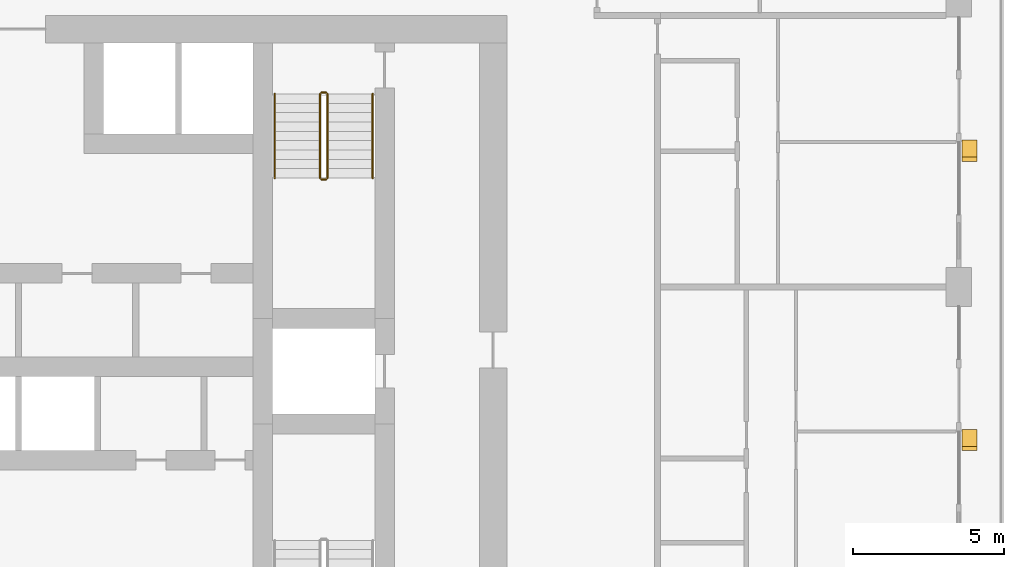
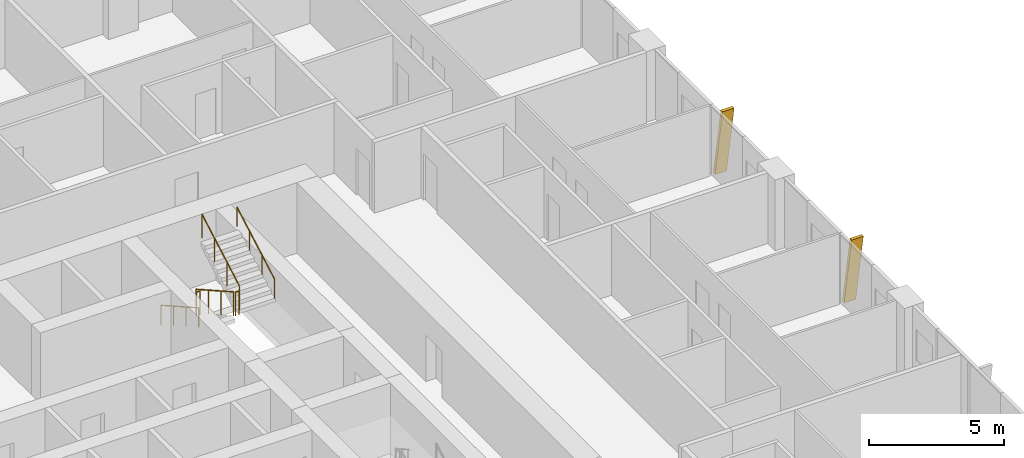
# One storey, part 20 of 21: 6 railings, 2 shading devices.
"""IFC4 building model written with IfcOpenShell, lengths in metres."""

import ifcopenshell
import ifcopenshell.guid

model = None  # the IFC model being written
_history = None  # IfcOwnerHistory: only IFC2X3 demands one
_inside = {}  # id of a spatial element -> (the spatial element, [elements in it])
_under = {}  # id of a project, library or spatial element -> (it, [spatial elements below it])
_declared = {}  # id of a project -> (the project, [libraries it declares])
_typed = {}  # id of a type object -> (the type object, [elements of that type])
_made_of = {}  # id of a material, layer set ... -> (it, [elements and type objects made of it])


def new_model(schema):
    """Start an empty IFC model of exactly this schema.

    Asked for "IFC4X3", IfcOpenShell would pick the latest addendum, in which some entities
    have other attributes; the version numbers below select the first issue.
    IFC2X3 requires an IfcOwnerHistory on every rooted entity: one is made here for all.
    """
    global model, _history
    if schema == "IFC4X3":
        model = ifcopenshell.file(schema_version=(4, 3, 0, 0))
    else:
        model = ifcopenshell.file(schema=schema)
    _inside.clear()
    _under.clear()
    _declared.clear()
    _typed.clear()
    _made_of.clear()
    _history = None
    if model.schema == "IFC2X3":
        org = make("IfcOrganization", Name="unknown")
        user = make(
            "IfcPersonAndOrganization",
            ThePerson=make("IfcPerson", FamilyName="unknown"),
            TheOrganization=org,
        )
        app = make(
            "IfcApplication",
            ApplicationDeveloper=org,
            Version="unknown",
            ApplicationFullName="unknown",
            ApplicationIdentifier="unknown",
        )
        _history = make(
            "IfcOwnerHistory",
            OwningUser=user,
            OwningApplication=app,
            ChangeAction="ADDED",
            CreationDate=0,
        )
    return model


def make(cls, **values):
    """One entity of the class cls with the attributes given. An attribute that is None is left unset."""
    return model.create_entity(
        cls, **{name: value for name, value in values.items() if value is not None}
    )


def rooted(cls, **values):
    """An entity with a GlobalId (a new one), such as an element, a storey or a relation."""
    return make(cls, GlobalId=ifcopenshell.guid.new(), OwnerHistory=_history, **values)


def si_unit(unit_type, name, prefix=None):
    """IfcSIUnit, for example si_unit("LENGTHUNIT", "METRE", prefix="MILLI")."""
    return make("IfcSIUnit", UnitType=unit_type, Prefix=prefix, Name=name)


def assignment(units):
    """IfcUnitAssignment: the units of a project."""
    return None if units is None else make("IfcUnitAssignment", Units=units)


def point(xyz):
    """IfcCartesianPoint."""
    return None if xyz is None else make("IfcCartesianPoint", Coordinates=xyz)


def direction(xyz):
    """IfcDirection."""
    return None if xyz is None else make("IfcDirection", DirectionRatios=xyz)


def frame(location, z_axis=None, x_axis=None):
    """IfcAxis2Placement3D, a coordinate frame: its origin and axes. An axis left out is left unset."""
    return make(
        "IfcAxis2Placement3D",
        Location=point(location),
        Axis=direction(z_axis),
        RefDirection=direction(x_axis),
    )


def frame_2d(location, x_axis=None):
    """IfcAxis2Placement2D, a coordinate frame in the plane: its origin and x axis."""
    return make(
        "IfcAxis2Placement2D", Location=point(location), RefDirection=direction(x_axis)
    )


def origin():
    """The frame at (0, 0, 0) with its axes left unset."""
    return frame((0.0, 0.0, 0.0))


def origin_2d():
    """The frame at (0, 0) in the plane with its x axis left unset."""
    return frame_2d((0.0, 0.0))


def place(relative_to, where):
    """IfcLocalPlacement: puts the frame where relative to a parent placement (None: the world)."""
    return make(
        "IfcLocalPlacement", PlacementRelTo=relative_to, RelativePlacement=where
    )


def context(
    kind, dimensions, precision=None, world=None, true_north=None, identifier=None
):
    """IfcGeometricRepresentationContext, for example the 3D "Model" context."""
    return make(
        "IfcGeometricRepresentationContext",
        ContextIdentifier=identifier,
        ContextType=kind,
        CoordinateSpaceDimension=dimensions,
        Precision=precision,
        WorldCoordinateSystem=world,
        TrueNorth=true_north,
    )


def subcontext(parent, identifier, kind, view, scale=None):
    """IfcGeometricRepresentationSubContext, for example "Body" below "Model"."""
    return make(
        "IfcGeometricRepresentationSubContext",
        ContextIdentifier=identifier,
        ContextType=kind,
        ParentContext=parent,
        TargetScale=scale,
        TargetView=view,
    )


def project(units=None, contexts=None):
    """IfcProject with its units and contexts."""
    return rooted(
        "IfcProject",
        Name="project",
        RepresentationContexts=contexts,
        UnitsInContext=assignment(units),
    )


def spatial(cls, under=None, at=None, **own):
    """A site, building, storey or space (cls), placed at a placement, below another one or the project."""
    s = rooted(cls, ObjectPlacement=at, **own)
    if under is not None:
        _under.setdefault(under.id(), (under, []))[1].append(s)
    return s


def polyline(points):
    """IfcPolyline through the points."""
    return make("IfcPolyline", Points=[point(p) for p in points])


def profile(cls, at=None, kind="AREA", **sizes):
    """A parametric profile (cls). Its sizes go by their IFC names, for example OverallWidth=200.0."""
    return make(cls, ProfileType=kind, Position=at, **sizes)


def circle(**sizes):
    """IfcCircleProfileDef."""
    return profile("IfcCircleProfileDef", **sizes)


def outline(outer, holes=None, kind="AREA"):
    """IfcArbitraryClosedProfileDef: a profile drawn as a closed curve; with holes, ...WithVoids."""
    if holes is None:
        return make("IfcArbitraryClosedProfileDef", ProfileType=kind, OuterCurve=outer)
    return make(
        "IfcArbitraryProfileDefWithVoids",
        ProfileType=kind,
        OuterCurve=outer,
        InnerCurves=holes,
    )


def extrude(swept, where, along, depth):
    """IfcExtrudedAreaSolid: the profile swept, set in the frame where, extruded along a direction by depth."""
    return make(
        "IfcExtrudedAreaSolid",
        SweptArea=swept,
        Position=where,
        ExtrudedDirection=direction(along),
        Depth=depth,
    )


def shape(context_of_items, identifier, shape_type, items):
    """IfcShapeRepresentation: the items that make up one representation, for example the "Body"."""
    return make(
        "IfcShapeRepresentation",
        ContextOfItems=context_of_items,
        RepresentationIdentifier=identifier,
        RepresentationType=shape_type,
        Items=items,
    )


def material(Name=None, Category=None):
    """IfcMaterial."""
    return make("IfcMaterial", Name=Name, Category=Category)


def made_of(thing, what):
    """Note that an element or type object is made of a material, layer set ...; save() writes the relation."""
    if what is not None:
        _made_of.setdefault(what.id(), (what, []))[1].append(thing)
    return thing


def type_object(cls, material=None, **own):
    """A type object (cls), such as IfcWallType, which elements share."""
    return made_of(rooted(cls, **own), material)


def element(
    cls,
    number,
    at=None,
    inside=None,
    cuts=None,
    type_object=None,
    material=None,
    context=None,
    identifier="Body",
    shape_type=None,
    held_by="IfcProductDefinitionShape",
    body=None,
    shapes=None,
    **own,
):
    """One element of the class cls, such as IfcWall. Its Tag is "e" and its number.

    at: its placement. inside: the storey or other place that contains it. cuts: it is an
    opening in that element (IfcRelVoidsElement). A single representation is given by context,
    identifier, shape_type and body (its items); several are given by shapes. held_by: the class
    of the entity that holds the representations. save() writes the other relations.
    """
    e = rooted(cls, Tag="e%d" % number, ObjectPlacement=at, **own)
    if body is not None:
        shapes = [shape(context, identifier, shape_type, body)]
    if shapes is not None:
        e.Representation = make(held_by, Representations=shapes)
    if inside is not None:
        _inside.setdefault(inside.id(), (inside, []))[1].append(e)
    if cuts is not None:
        rooted(
            "IfcRelVoidsElement", RelatingBuildingElement=cuts, RelatedOpeningElement=e
        )
    if type_object is not None:
        _typed.setdefault(type_object.id(), (type_object, []))[1].append(e)
    return made_of(e, material)


def aggregate(whole, parts):
    """IfcRelAggregates: a whole, such as a stair, and the parts it consists of."""
    return rooted("IfcRelAggregates", RelatingObject=whole, RelatedObjects=parts)


def save(model, path):
    """Write the relations noted so far, then the file.

    IfcRelAggregates (storeys below a building ...), IfcRelContainedInSpatialStructure (elements
    in a storey), IfcRelDefinesByType, IfcRelAssociatesMaterial and IfcRelDeclares: one each for
    every whole, place, type object, material and project.
    """
    for whole, parts in _under.values():
        aggregate(whole, parts)
    for where, things in _inside.values():
        rooted(
            "IfcRelContainedInSpatialStructure",
            RelatedElements=things,
            RelatingStructure=where,
        )
    for kind, things in _typed.values():
        rooted("IfcRelDefinesByType", RelatedObjects=things, RelatingType=kind)
    for what, things in _made_of.values():
        rooted("IfcRelAssociatesMaterial", RelatedObjects=things, RelatingMaterial=what)
    for by, libraries in _declared.values():
        rooted("IfcRelDeclares", RelatingContext=by, RelatedDefinitions=libraries)
    model.write(path)


model = new_model("IFC4")

# Units and contexts
model_context = context("Model", 3, precision=1e-05, world=origin(), true_north=direction((0.0, 1.0)))
body_context = subcontext(model_context, "Body", "Model", "MODEL_VIEW")
ifc_project = project(units=[si_unit("LENGTHUNIT", "METRE"), si_unit("AREAUNIT", "SQUARE_METRE"), si_unit("VOLUMEUNIT", "CUBIC_METRE"), si_unit("PLANEANGLEUNIT", "RADIAN"), si_unit("MASSUNIT", "GRAM", prefix="KILO")], contexts=[model_context])

# Site, building, storey
site_placement = place(None, origin())
site = spatial("IfcSite", under=ifc_project, at=site_placement, CompositionType="ELEMENT")
building_placement = place(site_placement, origin())
building = spatial("IfcBuilding", under=site, at=building_placement, Name="Madar Terraces", CompositionType="ELEMENT")
storey_placement = place(building_placement, frame((0.0, 0.0, 92.699951171875)))
storey = spatial("IfcBuildingStorey", under=building, at=storey_placement, Name="L23", CompositionType="ELEMENT", Elevation=92.699951171875)

# Shading devices
ifc_material_1 = material(Name="Aluminium, black anodised", Category="aluminium")
shading_device_type = type_object("IfcShadingDeviceType", Name="Facade fin blade 140 x 500", PredefinedType="USERDEFINED", material=ifc_material_1)
shading_device_1_placement = place(storey_placement, frame((62.75, 23.929931640625, 0.0), z_axis=(0.0, 0.0, 1.0), x_axis=(0.0, 1.0, 0.0)))
element("IfcShadingDevice", 1, at=shading_device_1_placement, inside=storey, type_object=shading_device_type, Name="FIN L23 E2", ObjectType="FIN", PredefinedType="USERDEFINED", context=body_context, shape_type="SweptSolid", body=[
    extrude(outline(polyline([(0.0, 0.0), (0.14013671875, 0.0), (-0.42431640625, 3.199951171875), (-0.564208984375, 3.199951171875), (0.0, 0.0)])), frame((0.0, 0.25, 0.0), z_axis=(0.0, -1.0, 0.0), x_axis=(1.0, 0.0, 0.0)), (0.0, 0.0, 1.0), 0.5),
])
shading_device_2_placement = place(storey_placement, frame((62.75, 33.530029296875, 0.0), z_axis=(0.0, 0.0, 1.0), x_axis=(0.0, 1.0, 0.0)))
element("IfcShadingDevice", 2, at=shading_device_2_placement, inside=storey, type_object=shading_device_type, Name="FIN L23 E3", ObjectType="FIN", PredefinedType="USERDEFINED", context=body_context, shape_type="SweptSolid", body=[
    extrude(outline(polyline([(0.0, 0.0), (0.139892578125, 0.0), (-0.42431640625, 3.199951171875), (-0.564208984375, 3.199951171875), (0.0, 0.0)])), frame((0.0, 0.25, 0.0), z_axis=(0.0, -1.0, 0.0), x_axis=(1.0, 0.0, 0.0)), (0.0, 0.0, 1.0), 0.5),
])

# Railings
ifc_material_2 = material(Name="Stainless steel railing", Category="steel")
railing_type_1 = type_object("IfcRailingType", Name="Stair guard 1100", PredefinedType="GUARDRAIL", material=ifc_material_2)
railing_1_placement = place(storey_placement, frame((41.199951171875, 35.199951171875, 0.175048828125)))
element("IfcRailing", 3, at=railing_1_placement, inside=storey, type_object=railing_type_1, Name="L23 ST2 stair guard 1", PredefinedType="GUARDRAIL", context=body_context, shape_type="SweptSolid", body=[
    extrude(circle(Radius=0.02392578125, at=origin_2d()), frame((0.0, 0.0, 1.076171875), z_axis=(0.0, -0.870833779661, 0.491577591232), x_axis=(1.0, 0.0, 0.0)), (0.0, 0.0, 1.0), 3.203857421875),
    extrude(circle(Radius=0.02099609375, at=origin_2d()), origin(), (0.0, 0.0, 1.0), 1.052001953125),
    extrude(circle(Radius=0.02099609375, at=origin_2d()), frame((0.0, -0.929931640625, 0.52490234375)), (0.0, 0.0, 1.0), 1.052001953125),
    extrude(circle(Radius=0.02099609375, at=origin_2d()), frame((0.0, -1.860107421875, 1.050048828125)), (0.0, 0.0, 1.0), 1.052001953125),
    extrude(circle(Radius=0.02099609375, at=origin_2d()), frame((0.0, -2.7900390625, 1.574951171875)), (0.0, 0.0, 1.0), 1.052001953125),
])
railing_2_placement = place(storey_placement, frame((41.25, 32.360107421875, 1.75)))
element("IfcRailing", 4, at=railing_2_placement, inside=storey, type_object=railing_type_1, Name="L23 ST2 stair guard 2", PredefinedType="GUARDRAIL", context=body_context, shape_type="SweptSolid", body=[
    extrude(circle(Radius=0.02392578125, at=origin_2d()), frame((0.0, 0.0, 1.076171875), z_axis=(1.0, 0.0, 0.0), x_axis=(0.0, 1.0, 0.0)), (0.0, 0.0, 1.0), 0.14990234375),
    extrude(circle(Radius=0.02099609375, at=origin_2d()), origin(), (0.0, 0.0, 1.0), 1.052001953125),
    extrude(circle(Radius=0.02099609375, at=origin_2d()), frame((0.14990234375, 0.0, 0.0)), (0.0, 0.0, 1.0), 1.052001953125),
])
railing_3_placement = place(storey_placement, frame((41.449951171875, 32.409912109375, 1.925048828125)))
element("IfcRailing", 5, at=railing_3_placement, inside=storey, type_object=railing_type_1, Name="L23 ST2 stair guard 3", PredefinedType="GUARDRAIL", context=body_context, shape_type="SweptSolid", body=[
    extrude(circle(Radius=0.02392578125, at=origin_2d()), frame((0.0, 0.0, 1.076171875), z_axis=(0.0, 0.870833779661, 0.491577591232), x_axis=(-1.0, 0.0, 0.0)), (0.0, 0.0, 1.0), 3.203857421875),
    extrude(circle(Radius=0.02099609375, at=origin_2d()), origin(), (0.0, 0.0, 1.0), 1.052001953125),
    extrude(circle(Radius=0.02099609375, at=origin_2d()), frame((0.0, 0.929931640625, 0.52490234375)), (0.0, 0.0, 1.0), 1.052001953125),
    extrude(circle(Radius=0.02099609375, at=origin_2d()), frame((0.0, 1.860107421875, 1.050048828125)), (0.0, 0.0, 1.0), 1.052001953125),
    extrude(circle(Radius=0.02099609375, at=origin_2d()), frame((0.0, 2.7900390625, 1.574951171875)), (0.0, 0.0, 1.0), 1.052001953125),
])
railing_4_placement = place(storey_placement, frame((41.25, 35.25, 0.0)))
element("IfcRailing", 6, at=railing_4_placement, inside=storey, type_object=railing_type_1, Name="L23 ST2 stair guard 4", PredefinedType="GUARDRAIL", context=body_context, shape_type="SweptSolid", body=[
    extrude(circle(Radius=0.02392578125, at=origin_2d()), frame((0.0, 0.0, 1.076171875), z_axis=(1.0, 0.0, 0.0), x_axis=(0.0, 1.0, 0.0)), (0.0, 0.0, 1.0), 0.14990234375),
    extrude(circle(Radius=0.02099609375, at=origin_2d()), origin(), (0.0, 0.0, 1.0), 1.052001953125),
    extrude(circle(Radius=0.02099609375, at=origin_2d()), frame((0.14990234375, 0.0, 0.0)), (0.0, 0.0, 1.0), 1.052001953125),
])
ifc_material_3 = material(Name="Stainless steel railing", Category="steel")
railing_type_2 = type_object("IfcRailingType", Name="Stair handrail 900", PredefinedType="HANDRAIL", material=ifc_material_3)
railing_5_placement = place(storey_placement, frame((39.699951171875, 35.199951171875, 0.175048828125)))
element("IfcRailing", 7, at=railing_5_placement, inside=storey, type_object=railing_type_2, Name="L23 ST2 stair handrail 1", PredefinedType="HANDRAIL", context=body_context, shape_type="SweptSolid", body=[
    extrude(circle(Radius=0.02392578125, at=origin_2d()), frame((0.0, 0.0, 0.8759765625), z_axis=(0.0, -0.870833779661, 0.491577591232), x_axis=(1.0, 0.0, 0.0)), (0.0, 0.0, 1.0), 3.203857421875),
    extrude(circle(Radius=0.02099609375, at=origin_2d()), origin(), (0.0, 0.0, 1.0), 0.851806640625),
    extrude(circle(Radius=0.02099609375, at=origin_2d()), frame((0.0, -0.929931640625, 0.52490234375)), (0.0, 0.0, 1.0), 0.851806640625),
    extrude(circle(Radius=0.02099609375, at=origin_2d()), frame((0.0, -1.860107421875, 1.050048828125)), (0.0, 0.0, 1.0), 0.851806640625),
    extrude(circle(Radius=0.02099609375, at=origin_2d()), frame((0.0, -2.7900390625, 1.574951171875)), (0.0, 0.0, 1.0), 0.851806640625),
])
railing_6_placement = place(storey_placement, frame((42.949951171875, 32.409912109375, 1.925048828125)))
element("IfcRailing", 8, at=railing_6_placement, inside=storey, type_object=railing_type_2, Name="L23 ST2 stair handrail 2", PredefinedType="HANDRAIL", context=body_context, shape_type="SweptSolid", body=[
    extrude(circle(Radius=0.02392578125, at=origin_2d()), frame((0.0, 0.0, 0.8759765625), z_axis=(0.0, 0.870833779661, 0.491577591232), x_axis=(-1.0, 0.0, 0.0)), (0.0, 0.0, 1.0), 3.203857421875),
    extrude(circle(Radius=0.02099609375, at=origin_2d()), origin(), (0.0, 0.0, 1.0), 0.851806640625),
    extrude(circle(Radius=0.02099609375, at=origin_2d()), frame((0.0, 0.929931640625, 0.52490234375)), (0.0, 0.0, 1.0), 0.851806640625),
    extrude(circle(Radius=0.02099609375, at=origin_2d()), frame((0.0, 1.860107421875, 1.050048828125)), (0.0, 0.0, 1.0), 0.851806640625),
    extrude(circle(Radius=0.02099609375, at=origin_2d()), frame((0.0, 2.7900390625, 1.574951171875)), (0.0, 0.0, 1.0), 0.851806640625),
])

save(model, "model.ifc")
